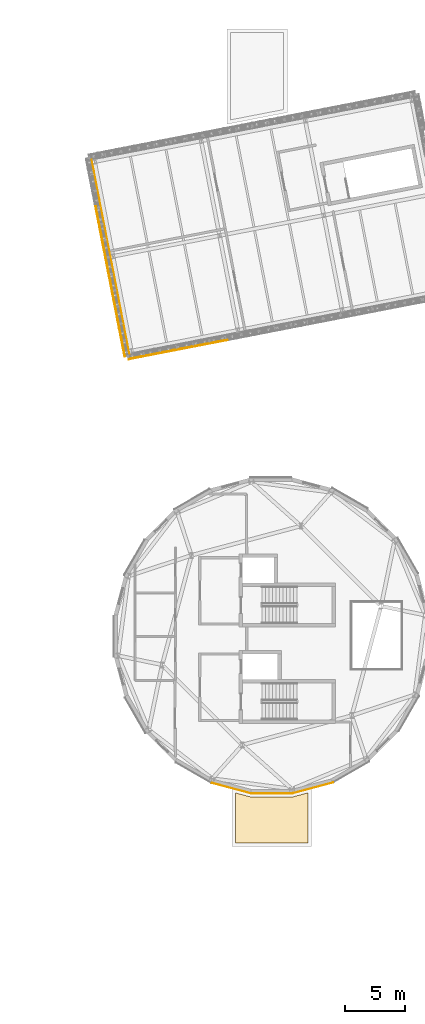
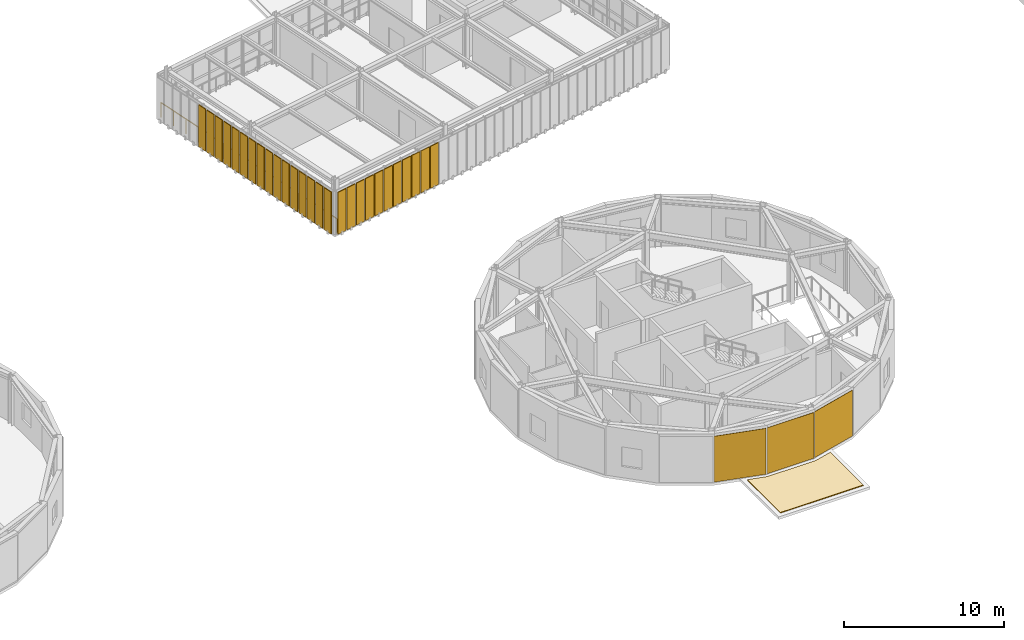
# One storey, part 38 of 44: 27 shading devices, 4 coverings, 1 railing.
"""IFC4 building model written with IfcOpenShell, lengths in metres."""

from ifc_helpers import new_model, si_unit, direction, frame, origin, origin_2d, place, context, subcontext, project, spatial, polyline, rectangle, circle, outline, extrude, material, layer, layer_set, type_object, element, save


model = new_model("IFC4")

# Units and contexts
model_context = context("Model", 3, precision=1e-05, world=origin(), true_north=direction((0.0, 1.0)))
body_context = subcontext(model_context, "Body", "Model", "MODEL_VIEW")
ifc_project = project(units=[si_unit("LENGTHUNIT", "METRE"), si_unit("AREAUNIT", "SQUARE_METRE"), si_unit("VOLUMEUNIT", "CUBIC_METRE"), si_unit("PLANEANGLEUNIT", "RADIAN"), si_unit("MASSUNIT", "GRAM", prefix="KILO")], contexts=[model_context])

# Site, building, storey
site_placement = place(None, origin())
site = spatial("IfcSite", under=ifc_project, at=site_placement, CompositionType="ELEMENT")
building_placement = place(site_placement, origin())
building = spatial("IfcBuilding", under=site, at=building_placement, Name="Varnklinge Art Gallery", CompositionType="ELEMENT")
storey_placement = place(building_placement, frame((0.0, 0.0, 13.679931640625)))
storey = spatial("IfcBuildingStorey", under=building, at=storey_placement, Name="L03", CompositionType="ELEMENT", Elevation=13.679931640625)

# Railing
ifc_material_1 = material(Name="Anodised Aluminium", Category="aluminium")
railing_type = type_object("IfcRailingType", Name="BAL-01", PredefinedType="BALUSTRADE", material=ifc_material_1)
railing_placement = place(storey_placement, frame((60.52734375, 78.146728515625, 0.0)))
element("IfcRailing", 1, at=railing_placement, inside=storey, type_object=railing_type, Name="BAL-V4B-L03-4-1", PredefinedType="BALUSTRADE", context=body_context, shape_type="SweptSolid", body=[
    extrude(circle(Radius=0.02392578125, at=origin_2d()), frame((0.0, 0.0, 1.11572265625), z_axis=(0.19080897967, -0.981627186501, 0.0), x_axis=(0.981627186501, 0.19080897967, 0.0)), (0.0, 0.0, 1.0), 16.7998046875),
    extrude(circle(Radius=0.02099609375, at=origin_2d()), origin(), (0.0, 0.0, 1.0), 1.091796875),
    extrude(circle(Radius=0.02099609375, at=origin_2d()), frame((0.22900390625, -1.177978515625, 0.0)), (0.0, 0.0, 1.0), 1.091796875),
    extrude(circle(Radius=0.02099609375, at=origin_2d()), frame((0.4580078125, -2.35595703125, 0.0)), (0.0, 0.0, 1.0), 1.091796875),
    extrude(circle(Radius=0.02099609375, at=origin_2d()), frame((0.68701171875, -3.533935546875, 0.0)), (0.0, 0.0, 1.0), 1.091796875),
    extrude(circle(Radius=0.02099609375, at=origin_2d()), frame((0.915771484375, -4.711669921875, 0.0)), (0.0, 0.0, 1.0), 1.091796875),
    extrude(circle(Radius=0.02099609375, at=origin_2d()), frame((1.144775390625, -5.8896484375, 0.0)), (0.0, 0.0, 1.0), 1.091796875),
    extrude(circle(Radius=0.02099609375, at=origin_2d()), frame((1.373779296875, -7.067626953125, 0.0)), (0.0, 0.0, 1.0), 1.091796875),
    extrude(circle(Radius=0.02099609375, at=origin_2d()), frame((1.602783203125, -8.24560546875, 0.0)), (0.0, 0.0, 1.0), 1.091796875),
    extrude(circle(Radius=0.02099609375, at=origin_2d()), frame((1.831787109375, -9.423583984375, 0.0)), (0.0, 0.0, 1.0), 1.091796875),
    extrude(circle(Radius=0.02099609375, at=origin_2d()), frame((2.060791015625, -10.6015625, 0.0)), (0.0, 0.0, 1.0), 1.091796875),
    extrude(circle(Radius=0.02099609375, at=origin_2d()), frame((2.289794921875, -11.779541015625, 0.0)), (0.0, 0.0, 1.0), 1.091796875),
    extrude(circle(Radius=0.02099609375, at=origin_2d()), frame((2.5185546875, -12.957275390625, 0.0)), (0.0, 0.0, 1.0), 1.091796875),
    extrude(circle(Radius=0.02099609375, at=origin_2d()), frame((2.74755859375, -14.13525390625, 0.0)), (0.0, 0.0, 1.0), 1.091796875),
    extrude(circle(Radius=0.02099609375, at=origin_2d()), frame((2.9765625, -15.313232421875, 0.0)), (0.0, 0.0, 1.0), 1.091796875),
    extrude(circle(Radius=0.02099609375, at=origin_2d()), frame((3.20556640625, -16.4912109375, 0.0)), (0.0, 0.0, 1.0), 1.091796875),
])

# Coverings
ifc_material_2 = material(Name="Pre-weathered Zinc", Category="metal")
ifc_layer_1 = layer(ifc_material_2, 0.02490234375)
ifc_layer_set_1 = layer_set([ifc_layer_1], Name="Pre-weathered Zinc")
covering_type_1 = type_object("IfcCoveringType", Name="CLD-ZNC", PredefinedType="CLADDING", material=ifc_layer_set_1)
covering_1_placement = place(storey_placement, frame((78.967529296875, 25.867431640625, 0.0498046875), z_axis=(0.0, 0.0, 1.0), x_axis=(-0.965925826289, -0.258819045103, 0.0)))
element("IfcCovering", 2, at=covering_1_placement, inside=storey, type_object=covering_type_1, Name="L03 Brushed Zinc Drum Cladding EW-V4D-L03-06", PredefinedType="CLADDING", context=body_context, shape_type="SweptSolid", body=[
    extrude(rectangle(XDim=3.3837890625, YDim=0.02490234375, at=origin_2d()), origin(), (0.0, 0.0, 1.0), 3.510009765625),
])
covering_2_placement = place(storey_placement, frame((75.580078125, 25.400390625, 0.0498046875), z_axis=(0.0, 0.0, 1.0), x_axis=(-1.0, 0.0, 0.0)))
element("IfcCovering", 3, at=covering_2_placement, inside=storey, type_object=covering_type_1, Name="L03 Brushed Zinc Drum Cladding EW-V4D-L03-07", PredefinedType="CLADDING", context=body_context, shape_type="SweptSolid", body=[
    extrude(rectangle(XDim=3.383544921875, YDim=0.02490234375, at=origin_2d()), origin(), (0.0, 0.0, 1.0), 3.510009765625),
])
covering_3_placement = place(storey_placement, frame((72.18701171875, 25.826171875, 0.0498046875), z_axis=(0.0, 0.0, 1.0), x_axis=(-0.965925826289, 0.258819045103, 0.0)))
element("IfcCovering", 4, at=covering_3_placement, inside=storey, type_object=covering_type_1, Name="L03 Brushed Zinc Drum Cladding EW-V4D-L03-08", PredefinedType="CLADDING", context=body_context, shape_type="SweptSolid", body=[
    extrude(rectangle(XDim=3.3837890625, YDim=0.02490234375, at=origin_2d()), origin(), (0.0, 0.0, 1.0), 3.510009765625),
])
ifc_material_3 = material(Name="Polymer-Modified Bitumen Roofing", Category="membrane")
ifc_layer_2 = layer(ifc_material_3, 0.06005859375)
ifc_layer_set_2 = layer_set([ifc_layer_2], Name="Polymer-Modified Bitumen Roofing")
covering_type_2 = type_object("IfcCoveringType", Name="RFG-MEM", PredefinedType="ROOFING", material=ifc_layer_set_2)
covering_4_placement = place(storey_placement, origin())
element("IfcCovering", 5, at=covering_4_placement, inside=storey, type_object=covering_type_2, Name="L03 Roof Covering 10", PredefinedType="ROOFING", context=body_context, shape_type="SweptSolid", body=[
    extrude(outline(polyline([(77.300537109375, 25.123046875), (77.27490234375, 25.117431640625), (77.2490234375, 25.114013671875), (77.222900390625, 25.11279296875), (73.777099609375, 25.11279296875), (73.7509765625, 25.114013671875), (73.72509765625, 25.117431640625), (73.699462890625, 25.123046875), (72.5, 25.444580078125), (72.5, 21.300048828125), (78.5, 21.300048828125), (78.5, 25.444580078125), (77.300537109375, 25.123046875)])), origin(), (0.0, 0.0, 1.0), 0.06005859375),
])

# Shading devices
ifc_material_4 = material(Name="Perforated Aluminium-Precast Lattice", Category="concrete")
ifc_layer_3 = layer(ifc_material_4, 0.06005859375)
ifc_layer_set_3 = layer_set([ifc_layer_3], Name="Perforated Aluminium-Precast Lattice")
shading_device_type = type_object("IfcShadingDeviceType", Name="SHD-LAT", PredefinedType="USERDEFINED", material=ifc_layer_set_3)
for number, where, z_axis, x_axis, name in (
    (6, (63.974609375, 61.478515625, 0.10009765625), (0.0, 0.0, 1.0), (0.981627183448, 0.190808995377, 0.0), "L03 Perforated Lattice Screen 1.1.1"),
    (7, (64.727294921875, 61.624755859375, 0.10009765625), (0.0, 0.0, 1.0), (0.981627183448, 0.190808995377, 0.0), "L03 Perforated Lattice Screen 1.1.2"),
    (8, (65.479736328125, 61.77099609375, 0.10009765625), (0.0, 0.0, 1.0), (0.981627183448, 0.190808995377, 0.0), "L03 Perforated Lattice Screen 1.1.3"),
    (9, (66.232421875, 61.917236328125, 0.10009765625), (0.0, 0.0, 1.0), (0.981627183448, 0.190808995377, 0.0), "L03 Perforated Lattice Screen 1.1.4"),
    (10, (66.98486328125, 62.0634765625, 0.10009765625), (0.0, 0.0, 1.0), (0.981627183448, 0.190808995377, 0.0), "L03 Perforated Lattice Screen 1.1.5"),
    (11, (67.737548828125, 62.209716796875, 0.10009765625), (0.0, 0.0, 1.0), (0.981627183448, 0.190808995377, 0.0), "L03 Perforated Lattice Screen 1.1.6"),
    (12, (68.489990234375, 62.356201171875, 0.10009765625), (0.0, 0.0, 1.0), (0.981627183448, 0.190808995377, 0.0), "L03 Perforated Lattice Screen 1.1.7"),
    (13, (69.24267578125, 62.50244140625, 0.10009765625), (0.0, 0.0, 1.0), (0.981627183448, 0.190808995377, 0.0), "L03 Perforated Lattice Screen 1.1.8"),
    (14, (69.9951171875, 62.648681640625, 0.10009765625), (0.0, 0.0, 1.0), (0.981627183448, 0.190808995377, 0.0), "L03 Perforated Lattice Screen 1.1.9"),
    (15, (70.747802734375, 62.794921875, 0.10009765625), (0.0, 0.0, 1.0), (0.981627183448, 0.190808995377, 0.0), "L03 Perforated Lattice Screen 1.2.1"),
    (16, (71.50048828125, 62.941162109375, 0.10009765625), (0.0, 0.0, 1.0), (0.981627183448, 0.190808995377, 0.0), "L03 Perforated Lattice Screen 1.2.2"),
    (17, (60.974365234375, 73.75146484375, 0.10009765625), (0.0, 0.0, 1.0), (0.190808995377, -0.981627183448, 0.0), "L03 Perforated Lattice Screen 4.1.6"),
    (18, (61.126953125, 72.966064453125, 0.10009765625), (0.0, 0.0, 1.0), (0.190808995377, -0.981627183448, 0.0), "L03 Perforated Lattice Screen 4.1.7"),
    (19, (61.279541015625, 72.180908203125, 0.10009765625), (0.0, 0.0, 1.0), (0.190808995377, -0.981627183448, 0.0), "L03 Perforated Lattice Screen 4.2.1"),
    (20, (61.43212890625, 71.3955078125, 0.10009765625), (0.0, 0.0, 1.0), (0.190808995377, -0.981627183448, 0.0), "L03 Perforated Lattice Screen 4.2.2"),
    (21, (61.5849609375, 70.610107421875, 0.10009765625), (0.0, 0.0, 1.0), (0.190808995377, -0.981627183448, 0.0), "L03 Perforated Lattice Screen 4.2.3"),
    (22, (61.737548828125, 69.824951171875, 0.10009765625), (0.0, 0.0, 1.0), (0.190808995377, -0.981627183448, 0.0), "L03 Perforated Lattice Screen 4.2.4"),
    (23, (61.89013671875, 69.03955078125, 0.10009765625), (0.0, 0.0, 1.0), (0.190808995377, -0.981627183448, 0.0), "L03 Perforated Lattice Screen 4.2.5"),
    (24, (62.042724609375, 68.25439453125, 0.10009765625), (0.0, 0.0, 1.0), (0.190808995377, -0.981627183448, 0.0), "L03 Perforated Lattice Screen 4.2.6"),
    (25, (62.195556640625, 67.468994140625, 0.10009765625), (0.0, 0.0, 1.0), (0.190808995377, -0.981627183448, 0.0), "L03 Perforated Lattice Screen 4.2.7"),
    (26, (62.34814453125, 66.68359375, 0.10009765625), (0.0, 0.0, 1.0), (0.190808995377, -0.981627183448, 0.0), "L03 Perforated Lattice Screen 4.3.1"),
    (27, (62.500732421875, 65.8984375, 0.10009765625), (0.0, 0.0, 1.0), (0.190808995377, -0.981627183448, 0.0), "L03 Perforated Lattice Screen 4.3.2"),
    (28, (62.6533203125, 65.113037109375, 0.10009765625), (0.0, 0.0, 1.0), (0.190808995377, -0.981627183448, 0.0), "L03 Perforated Lattice Screen 4.3.3"),
    (29, (62.80615234375, 64.327880859375, 0.10009765625), (0.0, 0.0, 1.0), (0.190808995377, -0.981627183448, 0.0), "L03 Perforated Lattice Screen 4.3.4"),
    (30, (62.958740234375, 63.54248046875, 0.10009765625), (0.0, 0.0, 1.0), (0.190808995377, -0.981627183448, 0.0), "L03 Perforated Lattice Screen 4.3.5"),
    (31, (63.111328125, 62.757080078125, 0.10009765625), (0.0, 0.0, 1.0), (0.190808995377, -0.981627183448, 0.0), "L03 Perforated Lattice Screen 4.3.6"),
    (32, (63.263916015625, 61.971923828125, 0.10009765625), (0.0, 0.0, 1.0), (0.190808995377, -0.981627183448, 0.0), "L03 Perforated Lattice Screen 4.3.7"),
):
    element("IfcShadingDevice", number, at=place(storey_placement, frame(where, z_axis=z_axis, x_axis=x_axis)), inside=storey, type_object=shading_device_type, Name=name, ObjectType="LATTICE SCREEN", PredefinedType="USERDEFINED", context=body_context, shape_type="SweptSolid", body=[
        extrude(rectangle(XDim=0.679931640625, YDim=0.06005859375, at=origin_2d()), origin(), (0.0, 0.0, 1.0), 3.2099609375),
    ])

save(model, "model.ifc")
